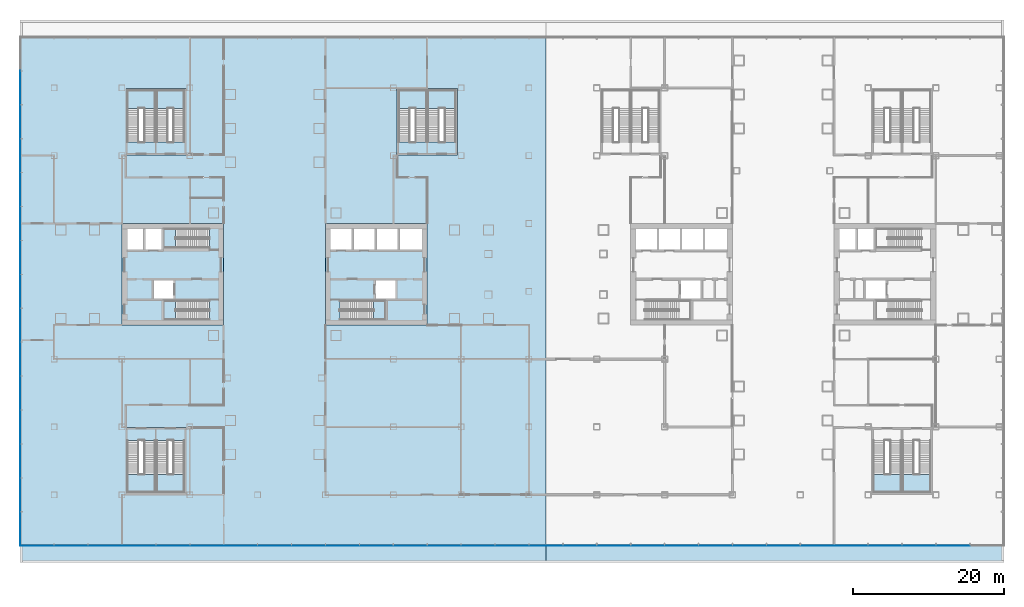
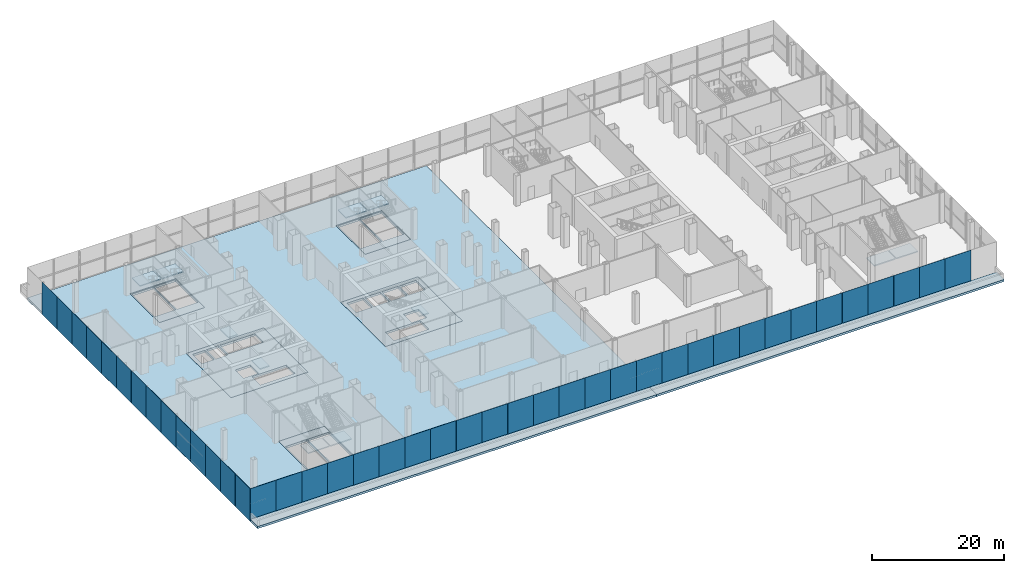
# One storey, part 19 of 38: 42 plates, 19 slabs, 13 elements without a shape of their own.
"""IFC4 building model written with IfcOpenShell, lengths in metres."""

from ifc_helpers import new_model, si_unit, direction, frame, origin, origin_2d, place, context, subcontext, project, spatial, polyline, rectangle, outline, extrude, material, layer, layer_set, type_object, element, aggregate, save


model = new_model("IFC4")

# Units and contexts
model_context = context("Model", 3, precision=1e-05, world=origin(), true_north=direction((0.0, 1.0)))
body_context = subcontext(model_context, "Body", "Model", "MODEL_VIEW")
ifc_project = project(units=[si_unit("LENGTHUNIT", "METRE"), si_unit("AREAUNIT", "SQUARE_METRE"), si_unit("VOLUMEUNIT", "CUBIC_METRE"), si_unit("PLANEANGLEUNIT", "RADIAN"), si_unit("MASSUNIT", "GRAM", prefix="KILO")], contexts=[model_context])

# Site, building, storey
site_placement = place(None, origin())
site = spatial("IfcSite", under=ifc_project, at=site_placement, CompositionType="ELEMENT")
building_placement = place(site_placement, origin())
building = spatial("IfcBuilding", under=site, at=building_placement, Name="Shamsa Quay Exchange Towers", CompositionType="ELEMENT")
storey_placement = place(building_placement, frame((0.0, 0.0, 12.5)))
storey = spatial("IfcBuildingStorey", under=building, at=storey_placement, Name="L02", CompositionType="ELEMENT", Elevation=12.5)

# Slabs
ifc_material_1 = material(Name="Concrete C50/60", Category="concrete")
ifc_layer_1 = layer(ifc_material_1, 0.39990234375)
ifc_layer_set_1 = layer_set([ifc_layer_1], Name="CORE FLOOR 400 C50/60")
slab_type_1 = type_object("IfcSlabType", Name="CORE FLOOR 400 C50/60", PredefinedType="FLOOR", material=ifc_layer_set_1)
slab_1_placement = place(storey_placement, frame((0.0, 0.0, -0.39990234375)))
element("IfcSlab", 1, at=slab_1_placement, inside=storey, type_object=slab_type_1, Name="Core floor T1A", PredefinedType="FLOOR", context=body_context, shape_type="SweptSolid", body=[
    extrude(outline(polyline([(-27.0, -6.75), (-13.5, -6.75), (-13.5, 6.75), (-27.0, 6.75), (-27.0, -6.75)]), holes=[polyline([(-25.099365234375, -6.050048828125), (-25.099365234375, -3.5), (-19.0, -3.5), (-19.0, -6.050048828125), (-25.099365234375, -6.050048828125)]), polyline([(-26.300048828125, 3.25), (-26.300048828125, 6.050048828125), (-23.5, 6.050048828125), (-23.5, 3.25), (-26.300048828125, 3.25)]), polyline([(-23.25, 3.25), (-23.25, 6.050048828125), (-20.449951171875, 6.050048828125), (-20.449951171875, 3.25), (-23.25, 3.25)]), polyline([(-20.199951171875, 3.25), (-20.199951171875, 6.050048828125), (-17.39990234375, 6.050048828125), (-17.39990234375, 3.25), (-20.199951171875, 3.25)]), polyline([(-17.14990234375, 3.25), (-17.14990234375, 6.050048828125), (-14.199951171875, 6.050048828125), (-14.199951171875, 3.25), (-17.14990234375, 3.25)]), polyline([(-20.35009765625, -3.25), (-20.35009765625, -0.75), (-17.699951171875, -0.75), (-17.699951171875, -3.25), (-20.35009765625, -3.25)])]), origin(), (0.0, 0.0, 1.0), 0.39990234375),
])
slab_2_placement = place(storey_placement, frame((0.0, 0.0, -0.39990234375)))
element("IfcSlab", 2, at=slab_2_placement, inside=storey, type_object=slab_type_1, Name="Core floor T1B", PredefinedType="FLOOR", context=body_context, shape_type="SweptSolid", body=[
    extrude(outline(polyline([(-40.5, -6.75), (-40.5, 6.75), (-54.0, 6.75), (-54.0, -6.75), (-40.5, -6.75)]), holes=[polyline([(-42.400634765625, -3.5), (-42.400634765625, -6.050048828125), (-48.5, -6.050048828125), (-48.5, -3.5), (-42.400634765625, -3.5)]), polyline([(-42.400634765625, 6.050048828125), (-42.400634765625, 3.5), (-48.5, 3.5), (-48.5, 6.050048828125), (-42.400634765625, 6.050048828125)]), polyline([(-48.75, 3.25), (-50.89990234375, 3.25), (-50.89990234375, 6.050048828125), (-48.75, 6.050048828125), (-48.75, 3.25)]), polyline([(-51.14990234375, 3.25), (-53.300048828125, 3.25), (-53.300048828125, 6.050048828125), (-51.14990234375, 6.050048828125), (-51.14990234375, 3.25)]), polyline([(-47.14990234375, -3.25), (-49.800048828125, -3.25), (-49.800048828125, -0.75), (-47.14990234375, -0.75), (-47.14990234375, -3.25)])]), origin(), (0.0, 0.0, 1.0), 0.39990234375),
])
slab_3_placement = place(storey_placement, frame((0.0, 0.0, -0.39990234375)))
element("IfcSlab", 3, at=slab_3_placement, inside=storey, type_object=slab_type_1, Name="Stair floor PS1", PredefinedType="FLOOR", context=body_context, shape_type="SweptSolid", body=[
    extrude(outline(polyline([(-53.5, 15.85009765625), (-45.5, 15.85009765625), (-45.5, 24.64990234375), (-53.5, 24.64990234375), (-53.5, 15.85009765625)]), holes=[polyline([(-49.574951171875, 17.55078125), (-53.300048828125, 17.55078125), (-53.300048828125, 24.449951171875), (-49.574951171875, 24.449951171875), (-49.574951171875, 17.55078125)]), polyline([(-45.699951171875, 17.55078125), (-49.425048828125, 17.55078125), (-49.425048828125, 24.449951171875), (-45.699951171875, 24.449951171875), (-45.699951171875, 17.55078125)])]), origin(), (0.0, 0.0, 1.0), 0.39990234375),
])
slab_4_placement = place(storey_placement, frame((0.0, 0.0, -0.39990234375)))
element("IfcSlab", 4, at=slab_4_placement, inside=storey, type_object=slab_type_1, Name="Stair floor PS2", PredefinedType="FLOOR", context=body_context, shape_type="SweptSolid", body=[
    extrude(outline(polyline([(-17.5, 15.85009765625), (-9.5, 15.85009765625), (-9.5, 24.64990234375), (-17.5, 24.64990234375), (-17.5, 15.85009765625)]), holes=[polyline([(-13.574951171875, 17.55078125), (-17.300048828125, 17.55078125), (-17.300048828125, 24.449951171875), (-13.574951171875, 24.449951171875), (-13.574951171875, 17.55078125)]), polyline([(-9.699951171875, 17.55078125), (-13.425048828125, 17.55078125), (-13.425048828125, 24.449951171875), (-9.699951171875, 24.449951171875), (-9.699951171875, 17.55078125)])]), origin(), (0.0, 0.0, 1.0), 0.39990234375),
])
slab_5_placement = place(storey_placement, frame((0.0, 0.0, -0.39990234375)))
element("IfcSlab", 5, at=slab_5_placement, inside=storey, type_object=slab_type_1, Name="Stair floor PS5", PredefinedType="FLOOR", context=body_context, shape_type="SweptSolid", body=[
    extrude(outline(polyline([(-53.5, -29.14990234375), (-45.5, -29.14990234375), (-45.5, -20.35009765625), (-53.5, -20.35009765625), (-53.5, -29.14990234375)]), holes=[polyline([(-53.300048828125, -22.05078125), (-49.574951171875, -22.05078125), (-49.574951171875, -28.949951171875), (-53.300048828125, -28.949951171875), (-53.300048828125, -22.05078125)]), polyline([(-49.425048828125, -22.05078125), (-45.699951171875, -22.05078125), (-45.699951171875, -28.949951171875), (-49.425048828125, -28.949951171875), (-49.425048828125, -22.05078125)])]), origin(), (0.0, 0.0, 1.0), 0.39990234375),
])

# Stair, slab
ifc_material_2 = material(Name="Concrete C40/50", Category="concrete")
stair_type_1 = type_object("IfcStairType", Name="EXIT STAIR 34 RISERS 176 MM", PredefinedType="HALF_TURN_STAIR", material=ifc_material_2)
stair_1_placement = place(storey_placement, origin())
stair_1 = element("IfcStair", 6, at=stair_1_placement, inside=storey, type_object=stair_type_1, Name="L02 Exit stair ST1", PredefinedType="HALF_TURN_STAIR")
ifc_layer_2 = layer(ifc_material_2, 0.199951171875)
ifc_layer_set_2 = layer_set([ifc_layer_2], Name="CORE STAIR LANDING")
slab_type_2 = type_object("IfcSlabType", Name="CORE STAIR LANDING", PredefinedType="LANDING", material=ifc_layer_set_2)
slab_6_placement = place(storey_placement, frame((0.0, 0.0, 2.800048828125)))
slab_6 = element("IfcSlab", 7, at=slab_6_placement, type_object=slab_type_2, Name="ST1 landing 1", PredefinedType="LANDING", context=body_context, shape_type="SweptSolid", body=[
    extrude(outline(polyline([(-20.6201171875, -6.050048828125), (-19.0, -6.050048828125), (-19.0, -3.5), (-20.6201171875, -3.5), (-20.6201171875, -6.050048828125)])), origin(), (0.0, 0.0, 1.0), 0.199951171875),
])
aggregate(stair_1, [slab_6])

stair_2_placement = place(storey_placement, origin())
stair_2 = element("IfcStair", 8, at=stair_2_placement, inside=storey, type_object=stair_type_1, Name="L02 Exit stair ST2", PredefinedType="HALF_TURN_STAIR")
slab_7_placement = place(storey_placement, frame((0.0, 0.0, 2.800048828125)))
slab_7 = element("IfcSlab", 9, at=slab_7_placement, type_object=slab_type_2, Name="ST2 landing 1", PredefinedType="LANDING", context=body_context, shape_type="SweptSolid", body=[
    extrude(outline(polyline([(-46.8798828125, -3.5), (-48.5, -3.5), (-48.5, -6.050048828125), (-46.8798828125, -6.050048828125), (-46.8798828125, -3.5)])), origin(), (0.0, 0.0, 1.0), 0.199951171875),
])
aggregate(stair_2, [slab_7])

stair_3_placement = place(storey_placement, origin())
stair_3 = element("IfcStair", 10, at=stair_3_placement, inside=storey, type_object=stair_type_1, Name="L02 Exit stair ST3", PredefinedType="HALF_TURN_STAIR")
slab_8_placement = place(storey_placement, frame((0.0, 0.0, 2.800048828125)))
slab_8 = element("IfcSlab", 11, at=slab_8_placement, type_object=slab_type_2, Name="ST3 landing 1", PredefinedType="LANDING", context=body_context, shape_type="SweptSolid", body=[
    extrude(outline(polyline([(-46.8798828125, 6.050048828125), (-48.5, 6.050048828125), (-48.5, 3.5), (-46.8798828125, 3.5), (-46.8798828125, 6.050048828125)])), origin(), (0.0, 0.0, 1.0), 0.199951171875),
])
aggregate(stair_3, [slab_8])

stair_type_2 = type_object("IfcStairType", Name="PODIUM EXIT STAIR 34 RISERS 176 MM 1500 WIDE", PredefinedType="HALF_TURN_STAIR", material=ifc_material_2)
stair_4_placement = place(storey_placement, origin())
stair_4 = element("IfcStair", 12, at=stair_4_placement, inside=storey, type_object=stair_type_2, Name="L02 Exit stair PS1A", PredefinedType="HALF_TURN_STAIR")
slab_9_placement = place(storey_placement, frame((0.0, 0.0, 2.800048828125)))
slab_9 = element("IfcSlab", 13, at=slab_9_placement, type_object=slab_type_2, Name="PS1A landing 1", PredefinedType="LANDING", context=body_context, shape_type="SweptSolid", body=[
    extrude(outline(polyline([(-49.574951171875, 22.030029296875), (-49.574951171875, 24.449951171875), (-53.300048828125, 24.449951171875), (-53.300048828125, 22.030029296875), (-49.574951171875, 22.030029296875)])), origin(), (0.0, 0.0, 1.0), 0.199951171875),
])
aggregate(stair_4, [slab_9])

stair_5_placement = place(storey_placement, origin())
stair_5 = element("IfcStair", 14, at=stair_5_placement, inside=storey, type_object=stair_type_2, Name="L02 Exit stair PS1B", PredefinedType="HALF_TURN_STAIR")
slab_10_placement = place(storey_placement, frame((0.0, 0.0, 2.800048828125)))
slab_10 = element("IfcSlab", 15, at=slab_10_placement, type_object=slab_type_2, Name="PS1B landing 1", PredefinedType="LANDING", context=body_context, shape_type="SweptSolid", body=[
    extrude(outline(polyline([(-45.699951171875, 22.030029296875), (-45.699951171875, 24.449951171875), (-49.425048828125, 24.449951171875), (-49.425048828125, 22.030029296875), (-45.699951171875, 22.030029296875)])), origin(), (0.0, 0.0, 1.0), 0.199951171875),
])
aggregate(stair_5, [slab_10])

stair_6_placement = place(storey_placement, origin())
stair_6 = element("IfcStair", 16, at=stair_6_placement, inside=storey, type_object=stair_type_2, Name="L02 Exit stair PS2A", PredefinedType="HALF_TURN_STAIR")
slab_11_placement = place(storey_placement, frame((0.0, 0.0, 2.800048828125)))
slab_11 = element("IfcSlab", 17, at=slab_11_placement, type_object=slab_type_2, Name="PS2A landing 1", PredefinedType="LANDING", context=body_context, shape_type="SweptSolid", body=[
    extrude(outline(polyline([(-13.574951171875, 22.030029296875), (-13.574951171875, 24.449951171875), (-17.300048828125, 24.449951171875), (-17.300048828125, 22.030029296875), (-13.574951171875, 22.030029296875)])), origin(), (0.0, 0.0, 1.0), 0.199951171875),
])
aggregate(stair_6, [slab_11])

stair_7_placement = place(storey_placement, origin())
stair_7 = element("IfcStair", 18, at=stair_7_placement, inside=storey, type_object=stair_type_2, Name="L02 Exit stair PS2B", PredefinedType="HALF_TURN_STAIR")
slab_12_placement = place(storey_placement, frame((0.0, 0.0, 2.800048828125)))
slab_12 = element("IfcSlab", 19, at=slab_12_placement, type_object=slab_type_2, Name="PS2B landing 1", PredefinedType="LANDING", context=body_context, shape_type="SweptSolid", body=[
    extrude(outline(polyline([(-9.699951171875, 22.030029296875), (-9.699951171875, 24.449951171875), (-13.425048828125, 24.449951171875), (-13.425048828125, 22.030029296875), (-9.699951171875, 22.030029296875)])), origin(), (0.0, 0.0, 1.0), 0.199951171875),
])
aggregate(stair_7, [slab_12])

stair_8_placement = place(storey_placement, origin())
stair_8 = element("IfcStair", 20, at=stair_8_placement, inside=storey, type_object=stair_type_2, Name="L02 Exit stair PS5A", PredefinedType="HALF_TURN_STAIR")
slab_13_placement = place(storey_placement, frame((0.0, 0.0, 2.800048828125)))
slab_13 = element("IfcSlab", 21, at=slab_13_placement, type_object=slab_type_2, Name="PS5A landing 1", PredefinedType="LANDING", context=body_context, shape_type="SweptSolid", body=[
    extrude(outline(polyline([(-53.300048828125, -26.530029296875), (-53.300048828125, -28.949951171875), (-49.574951171875, -28.949951171875), (-49.574951171875, -26.530029296875), (-53.300048828125, -26.530029296875)])), origin(), (0.0, 0.0, 1.0), 0.199951171875),
])
aggregate(stair_8, [slab_13])

stair_9_placement = place(storey_placement, origin())
stair_9 = element("IfcStair", 22, at=stair_9_placement, inside=storey, type_object=stair_type_2, Name="L02 Exit stair PS5B", PredefinedType="HALF_TURN_STAIR")
slab_14_placement = place(storey_placement, frame((0.0, 0.0, 2.800048828125)))
slab_14 = element("IfcSlab", 23, at=slab_14_placement, type_object=slab_type_2, Name="PS5B landing 1", PredefinedType="LANDING", context=body_context, shape_type="SweptSolid", body=[
    extrude(outline(polyline([(-49.425048828125, -26.530029296875), (-49.425048828125, -28.949951171875), (-45.699951171875, -28.949951171875), (-45.699951171875, -26.530029296875), (-49.425048828125, -26.530029296875)])), origin(), (0.0, 0.0, 1.0), 0.199951171875),
])
aggregate(stair_9, [slab_14])

stair_10_placement = place(storey_placement, origin())
stair_10 = element("IfcStair", 24, at=stair_10_placement, inside=storey, type_object=stair_type_2, Name="L02 Exit stair PS6A", PredefinedType="HALF_TURN_STAIR")
slab_15_placement = place(storey_placement, frame((0.0, 0.0, 2.800048828125)))
slab_15 = element("IfcSlab", 25, at=slab_15_placement, type_object=slab_type_2, Name="PS6A landing 1", PredefinedType="LANDING", context=body_context, shape_type="SweptSolid", body=[
    extrude(outline(polyline([(45.699951171875, -26.530029296875), (45.699951171875, -28.949951171875), (49.425048828125, -28.949951171875), (49.425048828125, -26.530029296875), (45.699951171875, -26.530029296875)])), origin(), (0.0, 0.0, 1.0), 0.199951171875),
])
aggregate(stair_10, [slab_15])

stair_11_placement = place(storey_placement, origin())
stair_11 = element("IfcStair", 26, at=stair_11_placement, inside=storey, type_object=stair_type_2, Name="L02 Exit stair PS6B", PredefinedType="HALF_TURN_STAIR")
slab_16_placement = place(storey_placement, frame((0.0, 0.0, 2.800048828125)))
slab_16 = element("IfcSlab", 27, at=slab_16_placement, type_object=slab_type_2, Name="PS6B landing 1", PredefinedType="LANDING", context=body_context, shape_type="SweptSolid", body=[
    extrude(outline(polyline([(49.574951171875, -26.530029296875), (49.574951171875, -28.949951171875), (53.300048828125, -28.949951171875), (53.300048828125, -26.530029296875), (49.574951171875, -26.530029296875)])), origin(), (0.0, 0.0, 1.0), 0.199951171875),
])
aggregate(stair_11, [slab_16])

# Curtain wall, plates
ifc_material_3 = material(Name="Aluminium EN AW-6063 T6, black anodised", Category="aluminium")
ifc_layer_3 = layer(ifc_material_3, 0.33203125)
ifc_layer_set_3 = layer_set([ifc_layer_3], Name="CW-3 PODIUM SHOPFRONT GLAZING")
curtain_wall_type = type_object("IfcCurtainWallType", Name="CW-3 PODIUM SHOPFRONT GLAZING", PredefinedType="NOTDEFINED", material=ifc_layer_set_3)
curtain_wall_1_placement = place(storey_placement, origin())
curtain_wall_1 = element("IfcCurtainWall", 28, at=curtain_wall_1_placement, inside=storey, type_object=curtain_wall_type, Name="CW3 PODIUM-L02-F02", PredefinedType="NOTDEFINED")
ifc_material_4 = material(Name="Glass, laminated, impact rated, clear low iron", Category="glass")
ifc_layer_4 = layer(ifc_material_4, 0.031982421875)
ifc_layer_set_4 = layer_set([ifc_layer_4], Name="CW-3 SHOPFRONT GLASS 32")
plate_type = type_object("IfcPlateType", Name="CW-3 SHOPFRONT GLASS 32", PredefinedType="CURTAIN_PANEL", material=ifc_layer_set_4)
plate_1_placement = place(storey_placement, frame((-67.51611328125, 24.75, -0.35009765625), z_axis=(0.0, 0.0, 1.0), x_axis=(0.0, -1.0, 0.0)))
plate_1 = element("IfcPlate", 29, at=plate_1_placement, type_object=plate_type, Name="CW3 glass panel", PredefinedType="CURTAIN_PANEL", context=body_context, shape_type="SweptSolid", body=[
    extrude(rectangle(XDim=4.489990234375, YDim=0.031982421875, at=origin_2d()), origin(), (0.0, 0.0, 1.0), 6.0),
])
plate_2_placement = place(storey_placement, frame((-67.51611328125, 20.25, -0.35009765625), z_axis=(0.0, 0.0, 1.0), x_axis=(0.0, -1.0, 0.0)))
plate_2 = element("IfcPlate", 30, at=plate_2_placement, type_object=plate_type, Name="CW3 glass panel", PredefinedType="CURTAIN_PANEL", context=body_context, shape_type="SweptSolid", body=[
    extrude(rectangle(XDim=4.489990234375, YDim=0.031982421875, at=origin_2d()), origin(), (0.0, 0.0, 1.0), 6.0),
])
plate_3_placement = place(storey_placement, frame((-67.51611328125, 15.75, -0.35009765625), z_axis=(0.0, 0.0, 1.0), x_axis=(0.0, -1.0, 0.0)))
plate_3 = element("IfcPlate", 31, at=plate_3_placement, type_object=plate_type, Name="CW3 glass panel", PredefinedType="CURTAIN_PANEL", context=body_context, shape_type="SweptSolid", body=[
    extrude(rectangle(XDim=4.489990234375, YDim=0.031982421875, at=origin_2d()), origin(), (0.0, 0.0, 1.0), 6.0),
])
plate_4_placement = place(storey_placement, frame((-67.51611328125, 11.25, -0.35009765625), z_axis=(0.0, 0.0, 1.0), x_axis=(0.0, -1.0, 0.0)))
plate_4 = element("IfcPlate", 32, at=plate_4_placement, type_object=plate_type, Name="CW3 glass panel", PredefinedType="CURTAIN_PANEL", context=body_context, shape_type="SweptSolid", body=[
    extrude(rectangle(XDim=4.489990234375, YDim=0.031982421875, at=origin_2d()), origin(), (0.0, 0.0, 1.0), 6.0),
])
plate_5_placement = place(storey_placement, frame((-67.51611328125, 6.75, -0.35009765625), z_axis=(0.0, 0.0, 1.0), x_axis=(0.0, -1.0, 0.0)))
plate_5 = element("IfcPlate", 33, at=plate_5_placement, type_object=plate_type, Name="CW3 glass panel", PredefinedType="CURTAIN_PANEL", context=body_context, shape_type="SweptSolid", body=[
    extrude(rectangle(XDim=4.489990234375, YDim=0.031982421875, at=origin_2d()), origin(), (0.0, 0.0, 1.0), 6.0),
])
plate_6_placement = place(storey_placement, frame((-67.51611328125, 2.25, -0.35009765625), z_axis=(0.0, 0.0, 1.0), x_axis=(0.0, -1.0, 0.0)))
plate_6 = element("IfcPlate", 34, at=plate_6_placement, type_object=plate_type, Name="CW3 glass panel", PredefinedType="CURTAIN_PANEL", context=body_context, shape_type="SweptSolid", body=[
    extrude(rectangle(XDim=4.489990234375, YDim=0.031982421875, at=origin_2d()), origin(), (0.0, 0.0, 1.0), 6.0),
])
plate_7_placement = place(storey_placement, frame((-67.51611328125, -2.25, -0.35009765625), z_axis=(0.0, 0.0, 1.0), x_axis=(0.0, -1.0, 0.0)))
plate_7 = element("IfcPlate", 35, at=plate_7_placement, type_object=plate_type, Name="CW3 glass panel", PredefinedType="CURTAIN_PANEL", context=body_context, shape_type="SweptSolid", body=[
    extrude(rectangle(XDim=4.489990234375, YDim=0.031982421875, at=origin_2d()), origin(), (0.0, 0.0, 1.0), 6.0),
])
plate_8_placement = place(storey_placement, frame((-67.51611328125, -6.75, -0.35009765625), z_axis=(0.0, 0.0, 1.0), x_axis=(0.0, -1.0, 0.0)))
plate_8 = element("IfcPlate", 36, at=plate_8_placement, type_object=plate_type, Name="CW3 glass panel", PredefinedType="CURTAIN_PANEL", context=body_context, shape_type="SweptSolid", body=[
    extrude(rectangle(XDim=4.489990234375, YDim=0.031982421875, at=origin_2d()), origin(), (0.0, 0.0, 1.0), 6.0),
])
plate_9_placement = place(storey_placement, frame((-67.51611328125, -11.25, -0.35009765625), z_axis=(0.0, 0.0, 1.0), x_axis=(0.0, -1.0, 0.0)))
plate_9 = element("IfcPlate", 37, at=plate_9_placement, type_object=plate_type, Name="CW3 glass panel", PredefinedType="CURTAIN_PANEL", context=body_context, shape_type="SweptSolid", body=[
    extrude(rectangle(XDim=4.489990234375, YDim=0.031982421875, at=origin_2d()), origin(), (0.0, 0.0, 1.0), 6.0),
])
plate_10_placement = place(storey_placement, frame((-67.51611328125, -15.75, -0.35009765625), z_axis=(0.0, 0.0, 1.0), x_axis=(0.0, -1.0, 0.0)))
plate_10 = element("IfcPlate", 38, at=plate_10_placement, type_object=plate_type, Name="CW3 glass panel", PredefinedType="CURTAIN_PANEL", context=body_context, shape_type="SweptSolid", body=[
    extrude(rectangle(XDim=4.489990234375, YDim=0.031982421875, at=origin_2d()), origin(), (0.0, 0.0, 1.0), 6.0),
])
plate_11_placement = place(storey_placement, frame((-67.51611328125, -20.25, -0.35009765625), z_axis=(0.0, 0.0, 1.0), x_axis=(0.0, -1.0, 0.0)))
plate_11 = element("IfcPlate", 39, at=plate_11_placement, type_object=plate_type, Name="CW3 glass panel", PredefinedType="CURTAIN_PANEL", context=body_context, shape_type="SweptSolid", body=[
    extrude(rectangle(XDim=4.489990234375, YDim=0.031982421875, at=origin_2d()), origin(), (0.0, 0.0, 1.0), 6.0),
])
plate_12_placement = place(storey_placement, frame((-67.51611328125, -24.75, -0.35009765625), z_axis=(0.0, 0.0, 1.0), x_axis=(0.0, -1.0, 0.0)))
plate_12 = element("IfcPlate", 40, at=plate_12_placement, type_object=plate_type, Name="CW3 glass panel", PredefinedType="CURTAIN_PANEL", context=body_context, shape_type="SweptSolid", body=[
    extrude(rectangle(XDim=4.489990234375, YDim=0.031982421875, at=origin_2d()), origin(), (0.0, 0.0, 1.0), 6.0),
])
plate_13_placement = place(storey_placement, frame((-67.51611328125, -29.25, -0.35009765625), z_axis=(0.0, 0.0, 1.0), x_axis=(0.0, -1.0, 0.0)))
plate_13 = element("IfcPlate", 41, at=plate_13_placement, type_object=plate_type, Name="CW3 glass panel", PredefinedType="CURTAIN_PANEL", context=body_context, shape_type="SweptSolid", body=[
    extrude(rectangle(XDim=4.489990234375, YDim=0.031982421875, at=origin_2d()), origin(), (0.0, 0.0, 1.0), 6.0),
])
plate_14_placement = place(storey_placement, frame((-67.51611328125, -33.75244140625, -0.35009765625), z_axis=(0.0, 0.0, 1.0), x_axis=(0.0, -1.0, 0.0)))
plate_14 = element("IfcPlate", 42, at=plate_14_placement, type_object=plate_type, Name="CW3 glass panel", PredefinedType="CURTAIN_PANEL", context=body_context, shape_type="SweptSolid", body=[
    extrude(rectangle(XDim=4.4951171875, YDim=0.031982421875, at=origin_2d()), origin(), (0.0, 0.0, 1.0), 6.0),
])
aggregate(curtain_wall_1, [plate_1, plate_2, plate_3, plate_4, plate_5, plate_6, plate_7, plate_8, plate_9, plate_10, plate_11, plate_12, plate_13, plate_14])

curtain_wall_2_placement = place(storey_placement, origin())
curtain_wall_2 = element("IfcCurtainWall", 43, at=curtain_wall_2_placement, inside=storey, type_object=curtain_wall_type, Name="CW3 PODIUM-L02-F03", PredefinedType="NOTDEFINED")
plate_15_placement = place(storey_placement, frame((-65.25244140625, -36.01611328125, -0.35009765625)))
plate_15 = element("IfcPlate", 44, at=plate_15_placement, type_object=plate_type, Name="CW3 glass panel", PredefinedType="CURTAIN_PANEL", context=body_context, shape_type="SweptSolid", body=[
    extrude(rectangle(XDim=4.4951171875, YDim=0.031982421875, at=origin_2d()), origin(), (0.0, 0.0, 1.0), 6.0),
])
plate_16_placement = place(storey_placement, frame((-60.75, -36.01611328125, -0.35009765625)))
plate_16 = element("IfcPlate", 45, at=plate_16_placement, type_object=plate_type, Name="CW3 glass panel", PredefinedType="CURTAIN_PANEL", context=body_context, shape_type="SweptSolid", body=[
    extrude(rectangle(XDim=4.489990234375, YDim=0.031982421875, at=origin_2d()), origin(), (0.0, 0.0, 1.0), 6.0),
])
plate_17_placement = place(storey_placement, frame((-56.25, -36.01611328125, -0.35009765625)))
plate_17 = element("IfcPlate", 46, at=plate_17_placement, type_object=plate_type, Name="CW3 glass panel", PredefinedType="CURTAIN_PANEL", context=body_context, shape_type="SweptSolid", body=[
    extrude(rectangle(XDim=4.489990234375, YDim=0.031982421875, at=origin_2d()), origin(), (0.0, 0.0, 1.0), 6.0),
])
plate_18_placement = place(storey_placement, frame((-51.75, -36.01611328125, -0.35009765625)))
plate_18 = element("IfcPlate", 47, at=plate_18_placement, type_object=plate_type, Name="CW3 glass panel", PredefinedType="CURTAIN_PANEL", context=body_context, shape_type="SweptSolid", body=[
    extrude(rectangle(XDim=4.489990234375, YDim=0.031982421875, at=origin_2d()), origin(), (0.0, 0.0, 1.0), 6.0),
])
plate_19_placement = place(storey_placement, frame((-47.25, -36.01611328125, -0.35009765625)))
plate_19 = element("IfcPlate", 48, at=plate_19_placement, type_object=plate_type, Name="CW3 glass panel", PredefinedType="CURTAIN_PANEL", context=body_context, shape_type="SweptSolid", body=[
    extrude(rectangle(XDim=4.489990234375, YDim=0.031982421875, at=origin_2d()), origin(), (0.0, 0.0, 1.0), 6.0),
])
plate_20_placement = place(storey_placement, frame((-42.75, -36.01611328125, -0.35009765625)))
plate_20 = element("IfcPlate", 49, at=plate_20_placement, type_object=plate_type, Name="CW3 glass panel", PredefinedType="CURTAIN_PANEL", context=body_context, shape_type="SweptSolid", body=[
    extrude(rectangle(XDim=4.489990234375, YDim=0.031982421875, at=origin_2d()), origin(), (0.0, 0.0, 1.0), 6.0),
])
plate_21_placement = place(storey_placement, frame((-38.25, -36.01611328125, -0.35009765625)))
plate_21 = element("IfcPlate", 50, at=plate_21_placement, type_object=plate_type, Name="CW3 glass panel", PredefinedType="CURTAIN_PANEL", context=body_context, shape_type="SweptSolid", body=[
    extrude(rectangle(XDim=4.489990234375, YDim=0.031982421875, at=origin_2d()), origin(), (0.0, 0.0, 1.0), 6.0),
])
plate_22_placement = place(storey_placement, frame((-33.75, -36.01611328125, -0.35009765625)))
plate_22 = element("IfcPlate", 51, at=plate_22_placement, type_object=plate_type, Name="CW3 glass panel", PredefinedType="CURTAIN_PANEL", context=body_context, shape_type="SweptSolid", body=[
    extrude(rectangle(XDim=4.489990234375, YDim=0.031982421875, at=origin_2d()), origin(), (0.0, 0.0, 1.0), 6.0),
])
plate_23_placement = place(storey_placement, frame((-29.25, -36.01611328125, -0.35009765625)))
plate_23 = element("IfcPlate", 52, at=plate_23_placement, type_object=plate_type, Name="CW3 glass panel", PredefinedType="CURTAIN_PANEL", context=body_context, shape_type="SweptSolid", body=[
    extrude(rectangle(XDim=4.489990234375, YDim=0.031982421875, at=origin_2d()), origin(), (0.0, 0.0, 1.0), 6.0),
])
plate_24_placement = place(storey_placement, frame((-24.75, -36.01611328125, -0.35009765625)))
plate_24 = element("IfcPlate", 53, at=plate_24_placement, type_object=plate_type, Name="CW3 glass panel", PredefinedType="CURTAIN_PANEL", context=body_context, shape_type="SweptSolid", body=[
    extrude(rectangle(XDim=4.489990234375, YDim=0.031982421875, at=origin_2d()), origin(), (0.0, 0.0, 1.0), 6.0),
])
plate_25_placement = place(storey_placement, frame((-20.25, -36.01611328125, -0.35009765625)))
plate_25 = element("IfcPlate", 54, at=plate_25_placement, type_object=plate_type, Name="CW3 glass panel", PredefinedType="CURTAIN_PANEL", context=body_context, shape_type="SweptSolid", body=[
    extrude(rectangle(XDim=4.489990234375, YDim=0.031982421875, at=origin_2d()), origin(), (0.0, 0.0, 1.0), 6.0),
])
plate_26_placement = place(storey_placement, frame((-15.75, -36.01611328125, -0.35009765625)))
plate_26 = element("IfcPlate", 55, at=plate_26_placement, type_object=plate_type, Name="CW3 glass panel", PredefinedType="CURTAIN_PANEL", context=body_context, shape_type="SweptSolid", body=[
    extrude(rectangle(XDim=4.489990234375, YDim=0.031982421875, at=origin_2d()), origin(), (0.0, 0.0, 1.0), 6.0),
])
plate_27_placement = place(storey_placement, frame((-11.25, -36.01611328125, -0.35009765625)))
plate_27 = element("IfcPlate", 56, at=plate_27_placement, type_object=plate_type, Name="CW3 glass panel", PredefinedType="CURTAIN_PANEL", context=body_context, shape_type="SweptSolid", body=[
    extrude(rectangle(XDim=4.489990234375, YDim=0.031982421875, at=origin_2d()), origin(), (0.0, 0.0, 1.0), 6.0),
])
plate_28_placement = place(storey_placement, frame((-6.75, -36.01611328125, -0.35009765625)))
plate_28 = element("IfcPlate", 57, at=plate_28_placement, type_object=plate_type, Name="CW3 glass panel", PredefinedType="CURTAIN_PANEL", context=body_context, shape_type="SweptSolid", body=[
    extrude(rectangle(XDim=4.489990234375, YDim=0.031982421875, at=origin_2d()), origin(), (0.0, 0.0, 1.0), 6.0),
])
plate_29_placement = place(storey_placement, frame((-2.25, -36.01611328125, -0.35009765625)))
plate_29 = element("IfcPlate", 58, at=plate_29_placement, type_object=plate_type, Name="CW3 glass panel", PredefinedType="CURTAIN_PANEL", context=body_context, shape_type="SweptSolid", body=[
    extrude(rectangle(XDim=4.489990234375, YDim=0.031982421875, at=origin_2d()), origin(), (0.0, 0.0, 1.0), 6.0),
])
plate_30_placement = place(storey_placement, frame((2.25, -36.01611328125, -0.35009765625)))
plate_30 = element("IfcPlate", 59, at=plate_30_placement, type_object=plate_type, Name="CW3 glass panel", PredefinedType="CURTAIN_PANEL", context=body_context, shape_type="SweptSolid", body=[
    extrude(rectangle(XDim=4.489990234375, YDim=0.031982421875, at=origin_2d()), origin(), (0.0, 0.0, 1.0), 6.0),
])
plate_31_placement = place(storey_placement, frame((6.75, -36.01611328125, -0.35009765625)))
plate_31 = element("IfcPlate", 60, at=plate_31_placement, type_object=plate_type, Name="CW3 glass panel", PredefinedType="CURTAIN_PANEL", context=body_context, shape_type="SweptSolid", body=[
    extrude(rectangle(XDim=4.489990234375, YDim=0.031982421875, at=origin_2d()), origin(), (0.0, 0.0, 1.0), 6.0),
])
plate_32_placement = place(storey_placement, frame((11.25, -36.01611328125, -0.35009765625)))
plate_32 = element("IfcPlate", 61, at=plate_32_placement, type_object=plate_type, Name="CW3 glass panel", PredefinedType="CURTAIN_PANEL", context=body_context, shape_type="SweptSolid", body=[
    extrude(rectangle(XDim=4.489990234375, YDim=0.031982421875, at=origin_2d()), origin(), (0.0, 0.0, 1.0), 6.0),
])
plate_33_placement = place(storey_placement, frame((15.75, -36.01611328125, -0.35009765625)))
plate_33 = element("IfcPlate", 62, at=plate_33_placement, type_object=plate_type, Name="CW3 glass panel", PredefinedType="CURTAIN_PANEL", context=body_context, shape_type="SweptSolid", body=[
    extrude(rectangle(XDim=4.489990234375, YDim=0.031982421875, at=origin_2d()), origin(), (0.0, 0.0, 1.0), 6.0),
])
plate_34_placement = place(storey_placement, frame((20.25, -36.01611328125, -0.35009765625)))
plate_34 = element("IfcPlate", 63, at=plate_34_placement, type_object=plate_type, Name="CW3 glass panel", PredefinedType="CURTAIN_PANEL", context=body_context, shape_type="SweptSolid", body=[
    extrude(rectangle(XDim=4.489990234375, YDim=0.031982421875, at=origin_2d()), origin(), (0.0, 0.0, 1.0), 6.0),
])
plate_35_placement = place(storey_placement, frame((24.75, -36.01611328125, -0.35009765625)))
plate_35 = element("IfcPlate", 64, at=plate_35_placement, type_object=plate_type, Name="CW3 glass panel", PredefinedType="CURTAIN_PANEL", context=body_context, shape_type="SweptSolid", body=[
    extrude(rectangle(XDim=4.489990234375, YDim=0.031982421875, at=origin_2d()), origin(), (0.0, 0.0, 1.0), 6.0),
])
plate_36_placement = place(storey_placement, frame((29.25, -36.01611328125, -0.35009765625)))
plate_36 = element("IfcPlate", 65, at=plate_36_placement, type_object=plate_type, Name="CW3 glass panel", PredefinedType="CURTAIN_PANEL", context=body_context, shape_type="SweptSolid", body=[
    extrude(rectangle(XDim=4.489990234375, YDim=0.031982421875, at=origin_2d()), origin(), (0.0, 0.0, 1.0), 6.0),
])
plate_37_placement = place(storey_placement, frame((33.75, -36.01611328125, -0.35009765625)))
plate_37 = element("IfcPlate", 66, at=plate_37_placement, type_object=plate_type, Name="CW3 glass panel", PredefinedType="CURTAIN_PANEL", context=body_context, shape_type="SweptSolid", body=[
    extrude(rectangle(XDim=4.489990234375, YDim=0.031982421875, at=origin_2d()), origin(), (0.0, 0.0, 1.0), 6.0),
])
plate_38_placement = place(storey_placement, frame((38.25, -36.01611328125, -0.35009765625)))
plate_38 = element("IfcPlate", 67, at=plate_38_placement, type_object=plate_type, Name="CW3 glass panel", PredefinedType="CURTAIN_PANEL", context=body_context, shape_type="SweptSolid", body=[
    extrude(rectangle(XDim=4.489990234375, YDim=0.031982421875, at=origin_2d()), origin(), (0.0, 0.0, 1.0), 6.0),
])
plate_39_placement = place(storey_placement, frame((42.75, -36.01611328125, -0.35009765625)))
plate_39 = element("IfcPlate", 68, at=plate_39_placement, type_object=plate_type, Name="CW3 glass panel", PredefinedType="CURTAIN_PANEL", context=body_context, shape_type="SweptSolid", body=[
    extrude(rectangle(XDim=4.489990234375, YDim=0.031982421875, at=origin_2d()), origin(), (0.0, 0.0, 1.0), 6.0),
])
plate_40_placement = place(storey_placement, frame((47.25, -36.01611328125, -0.35009765625)))
plate_40 = element("IfcPlate", 69, at=plate_40_placement, type_object=plate_type, Name="CW3 glass panel", PredefinedType="CURTAIN_PANEL", context=body_context, shape_type="SweptSolid", body=[
    extrude(rectangle(XDim=4.489990234375, YDim=0.031982421875, at=origin_2d()), origin(), (0.0, 0.0, 1.0), 6.0),
])
plate_41_placement = place(storey_placement, frame((51.75, -36.01611328125, -0.35009765625)))
plate_41 = element("IfcPlate", 70, at=plate_41_placement, type_object=plate_type, Name="CW3 glass panel", PredefinedType="CURTAIN_PANEL", context=body_context, shape_type="SweptSolid", body=[
    extrude(rectangle(XDim=4.489990234375, YDim=0.031982421875, at=origin_2d()), origin(), (0.0, 0.0, 1.0), 6.0),
])
plate_42_placement = place(storey_placement, frame((56.25, -36.01611328125, -0.35009765625)))
plate_42 = element("IfcPlate", 71, at=plate_42_placement, type_object=plate_type, Name="CW3 glass panel", PredefinedType="CURTAIN_PANEL", context=body_context, shape_type="SweptSolid", body=[
    extrude(rectangle(XDim=4.489990234375, YDim=0.031982421875, at=origin_2d()), origin(), (0.0, 0.0, 1.0), 6.0),
])
aggregate(curtain_wall_2, [plate_15, plate_16, plate_17, plate_18, plate_19, plate_20, plate_21, plate_22, plate_23, plate_24, plate_25, plate_26, plate_27, plate_28, plate_29, plate_30, plate_31, plate_32, plate_33, plate_34, plate_35, plate_36, plate_37, plate_38, plate_39, plate_40, plate_41, plate_42])

# Slabs
ifc_layer_5 = layer(ifc_material_2, 0.39990234375)
ifc_layer_set_5 = layer_set([ifc_layer_5], Name="Flat slab 400")
slab_type_3 = type_object("IfcSlabType", Name="Flat slab 400", PredefinedType="FLOOR", material=ifc_layer_set_5)
slab_17_placement = place(storey_placement, frame((0.0, 0.0, -0.39990234375)))
element("IfcSlab", 72, at=slab_17_placement, inside=storey, type_object=slab_type_3, Name="Flat slab PD L02 1", PredefinedType="FLOOR", context=body_context, shape_type="SweptSolid", body=[
    extrude(outline(polyline([(-67.5, 31.5), (-67.5, -36.0), (2.25, -36.0), (2.25, 31.5), (-67.5, 31.5)]), holes=[polyline([(-53.5, -29.14990234375), (-45.5, -29.14990234375), (-45.5, -20.35009765625), (-53.5, -20.35009765625), (-53.5, -29.14990234375)]), polyline([(-54.0, -6.75), (-40.5, -6.75), (-40.5, 6.75), (-54.0, 6.75), (-54.0, -6.75)]), polyline([(-27.0, 6.75), (-27.0, -6.75), (-13.5, -6.75), (-13.5, 6.75), (-27.0, 6.75)]), polyline([(-53.5, 15.85009765625), (-45.5, 15.85009765625), (-45.5, 24.64990234375), (-53.5, 24.64990234375), (-53.5, 15.85009765625)]), polyline([(-17.5, 15.85009765625), (-9.5, 15.85009765625), (-9.5, 24.64990234375), (-17.5, 24.64990234375), (-17.5, 15.85009765625)])]), origin(), (0.0, 0.0, 1.0), 0.39990234375),
])
ifc_layer_6 = layer(ifc_material_2, 0.39990234375)
ifc_layer_set_6 = layer_set([ifc_layer_6], Name="Terrace roof slab 400")
slab_type_4 = type_object("IfcSlabType", Name="Terrace roof slab 400", PredefinedType="ROOF", material=ifc_layer_set_6)
slab_18_placement = place(storey_placement, frame((0.0, 0.0, -0.39990234375)))
element("IfcSlab", 73, at=slab_18_placement, inside=storey, type_object=slab_type_4, Name="Roof slab PD over L01 1", PredefinedType="ROOF", context=body_context, shape_type="SweptSolid", body=[
    extrude(outline(polyline([(-67.5, -38.25), (2.25, -38.25), (2.25, -36.0), (-67.5, -36.0), (-67.5, -38.25)])), origin(), (0.0, 0.0, 1.0), 0.39990234375),
])
slab_19_placement = place(storey_placement, frame((0.0, 0.0, -0.39990234375)))
element("IfcSlab", 74, at=slab_19_placement, inside=storey, type_object=slab_type_4, Name="Roof slab PD over L01 3", PredefinedType="ROOF", context=body_context, shape_type="SweptSolid", body=[
    extrude(outline(polyline([(2.25, -38.25), (63.0, -38.25), (63.0, -36.0), (2.25, -36.0), (2.25, -38.25)])), origin(), (0.0, 0.0, 1.0), 0.39990234375),
])

save(model, "model.ifc")
